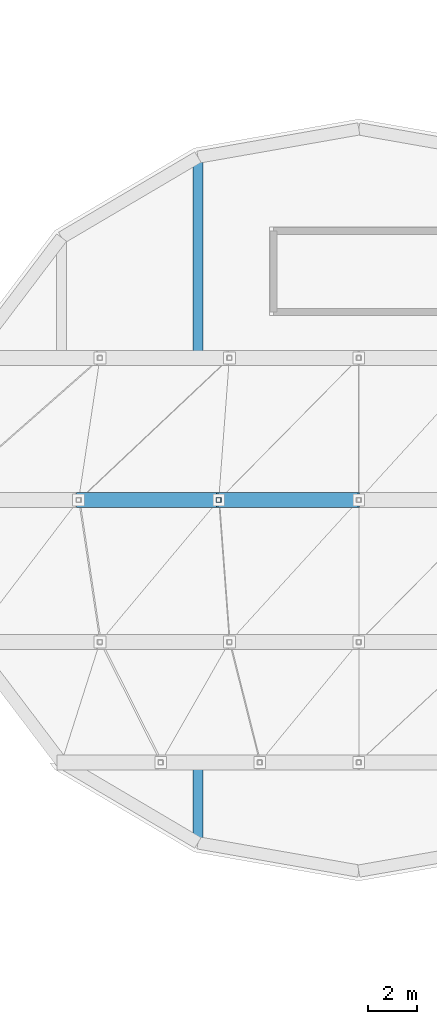
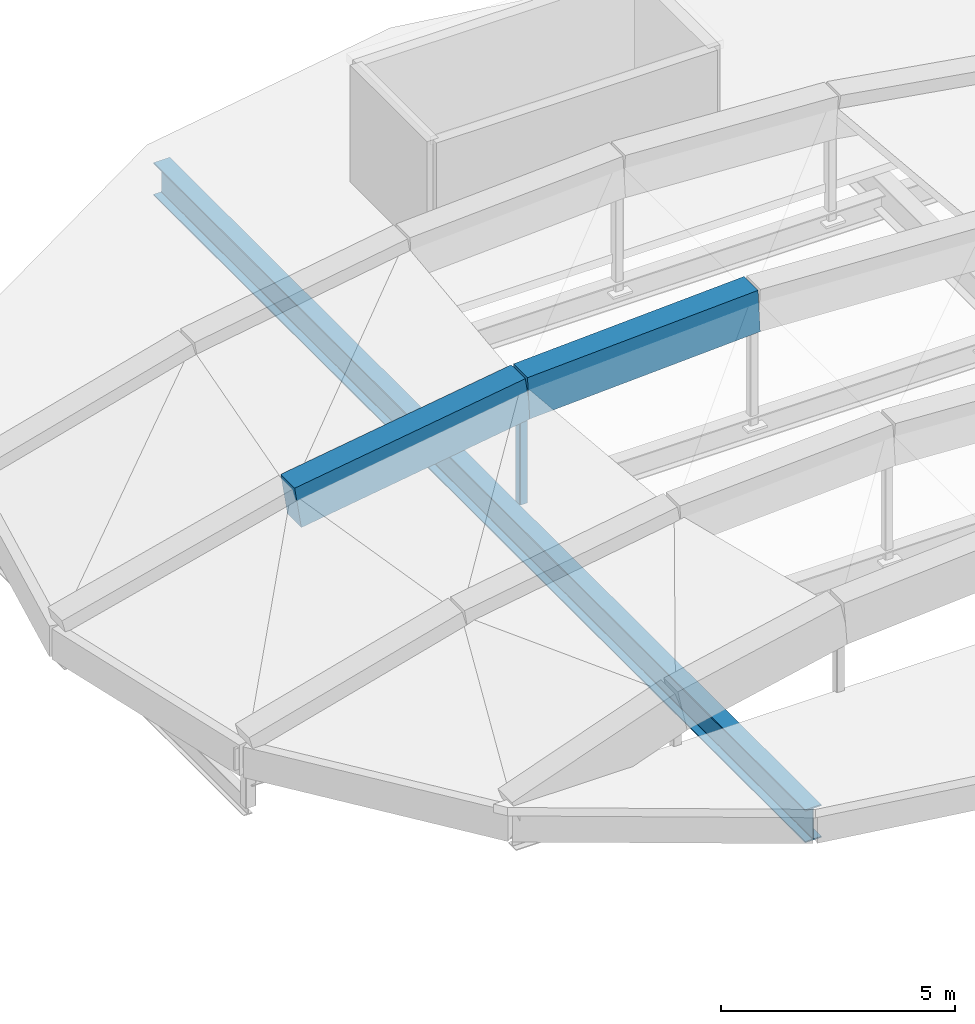
# One storey, part 61 of 88: 3 beams, 1 member.
"""IFC4 building model written with IfcOpenShell, lengths in metres."""

from ifc_helpers import new_model, si_unit, direction, frame, origin, origin_2d, place, context, subcontext, project, spatial, rectangle, hollow_rectangle, i_section, extrude, material, material_profile, profile_set, type_object, element, save


model = new_model("IFC4")

# Units and contexts
model_context = context("Model", 3, precision=1e-05, world=origin(), true_north=direction((0.0, 1.0)))
body_context = subcontext(model_context, "Body", "Model", "MODEL_VIEW")
ifc_project = project(units=[si_unit("LENGTHUNIT", "METRE"), si_unit("AREAUNIT", "SQUARE_METRE"), si_unit("VOLUMEUNIT", "CUBIC_METRE"), si_unit("PLANEANGLEUNIT", "RADIAN"), si_unit("MASSUNIT", "GRAM", prefix="KILO")], contexts=[model_context])

# Site, building, storey
site_placement = place(None, origin())
site = spatial("IfcSite", under=ifc_project, at=site_placement, CompositionType="ELEMENT")
building_placement = place(site_placement, origin())
building = spatial("IfcBuilding", under=site, at=building_placement, Name="Vespera Passage Community Centre", CompositionType="ELEMENT")
storey_placement = place(building_placement, frame((0.0, 0.0, 16.5)))
storey = spatial("IfcBuildingStorey", under=building, at=storey_placement, Name="L04", CompositionType="ELEMENT", Elevation=16.5)

# Beams
ifc_material_1 = material(Name="Concrete f'c 45 MPa", Category="concrete")
ifc_material_profile_1 = material_profile(ifc_material_1, rectangle(XDim=0.60009765625, YDim=1.10009765625, at=origin_2d()), Name="RC600X1100")
ifc_profile_set_1 = profile_set([ifc_material_profile_1], Name="Concrete f'c 45 MPa")
beam_type_1 = type_object("IfcBeamType", Name="BM-AR-600X1100", PredefinedType="USERDEFINED", material=ifc_profile_set_1)
beam_1_placement = place(storey_placement, frame((131.60009765625, 89.5, 1.0244140625), z_axis=(0.988636492345, 0.0, 0.150325932575), x_axis=(0.0, 1.0, 0.0)))
element("IfcBeam", 1, at=beam_1_placement, inside=storey, type_object=beam_type_1, Name="Sports Hall Arched Rib 3.2", ObjectType="ARCH RIB", PredefinedType="USERDEFINED", context=body_context, shape_type="SweptSolid", body=[
    extrude(rectangle(XDim=0.60009765625, YDim=1.10009765625, at=origin_2d()), origin(), (0.0, 0.0, 1.0), 5.765380859375),
])
beam_2_placement = place(storey_placement, frame((137.300048828125, 89.5, 1.89111328125), z_axis=(0.998718725959, 0.0, 0.050605399101), x_axis=(0.0, 1.0, 0.0)))
element("IfcBeam", 2, at=beam_2_placement, inside=storey, type_object=beam_type_1, Name="Sports Hall Arched Rib 3.3", ObjectType="ARCH RIB", PredefinedType="USERDEFINED", context=body_context, shape_type="SweptSolid", body=[
    extrude(rectangle(XDim=0.60009765625, YDim=1.10009765625, at=origin_2d()), origin(), (0.0, 0.0, 1.0), 5.707275390625),
])
ifc_material_2 = material(Name="Steel ASTM A992 Grade 50", Category="steel")
ifc_material_profile_2 = material_profile(ifc_material_2, i_section(OverallWidth=0.400146484375, OverallDepth=0.86181640625, WebThickness=0.019775390625, FlangeThickness=0.032470703125, FilletRadius=0.017822265625, at=origin_2d()), Name="W33X221")
ifc_profile_set_2 = profile_set([ifc_material_profile_2], Name="Steel ASTM A992 Grade 50")
beam_type_2 = type_object("IfcBeamType", Name="BM-G-W33X221", PredefinedType="BEAM", material=ifc_profile_set_2)
beam_3_placement = place(storey_placement, frame((136.4560546875, 103.45068359375, -0.65087890625), z_axis=(0.0, -1.0, 0.0), x_axis=(1.0, 0.0, 0.0)))
element("IfcBeam", 3, at=beam_3_placement, inside=storey, type_object=beam_type_2, Name="Sports Hall Roof Frame Girder 3", PredefinedType="BEAM", context=body_context, shape_type="SweptSolid", body=[
    extrude(i_section(OverallWidth=0.400146484375, OverallDepth=0.86181640625, WebThickness=0.019775390625, FlangeThickness=0.032470703125, FilletRadius=0.017822265625, at=origin_2d()), origin(), (0.0, 0.0, 1.0), 27.9013671875),
])

# Member
ifc_material_3 = material(Name="Steel ASTM A500 Grade C", Category="steel")
ifc_material_profile_3 = material_profile(ifc_material_3, hollow_rectangle(XDim=0.203125, YDim=0.203125, WallThickness=0.01171875, InnerFilletRadius=0.01171875, OuterFilletRadius=0.023681640625, at=origin_2d()), Name="HSS203X203X12.7")
ifc_profile_set_3 = profile_set([ifc_material_profile_3], Name="Steel ASTM A500 Grade C")
member_type = type_object("IfcMemberType", Name="SS-203", PredefinedType="STRUT", material=ifc_profile_set_3)
member_placement = place(storey_placement, frame((137.300048828125, 89.5, -0.989990234375), z_axis=(0.0, 0.0, 1.0), x_axis=(1.0, 0.0, 0.0)))
element("IfcMember", 4, at=member_placement, inside=storey, type_object=member_type, Name="Sports Hall Arch Rib 3 Bowstring Post 2", PredefinedType="STRUT", context=body_context, shape_type="SweptSolid", body=[
    extrude(hollow_rectangle(XDim=0.203125, YDim=0.203125, WallThickness=0.01171875, InnerFilletRadius=0.01171875, OuterFilletRadius=0.023681640625, at=origin_2d()), origin(), (0.0, 0.0, 1.0), 2.881103515625),
])

save(model, "model.ifc")
